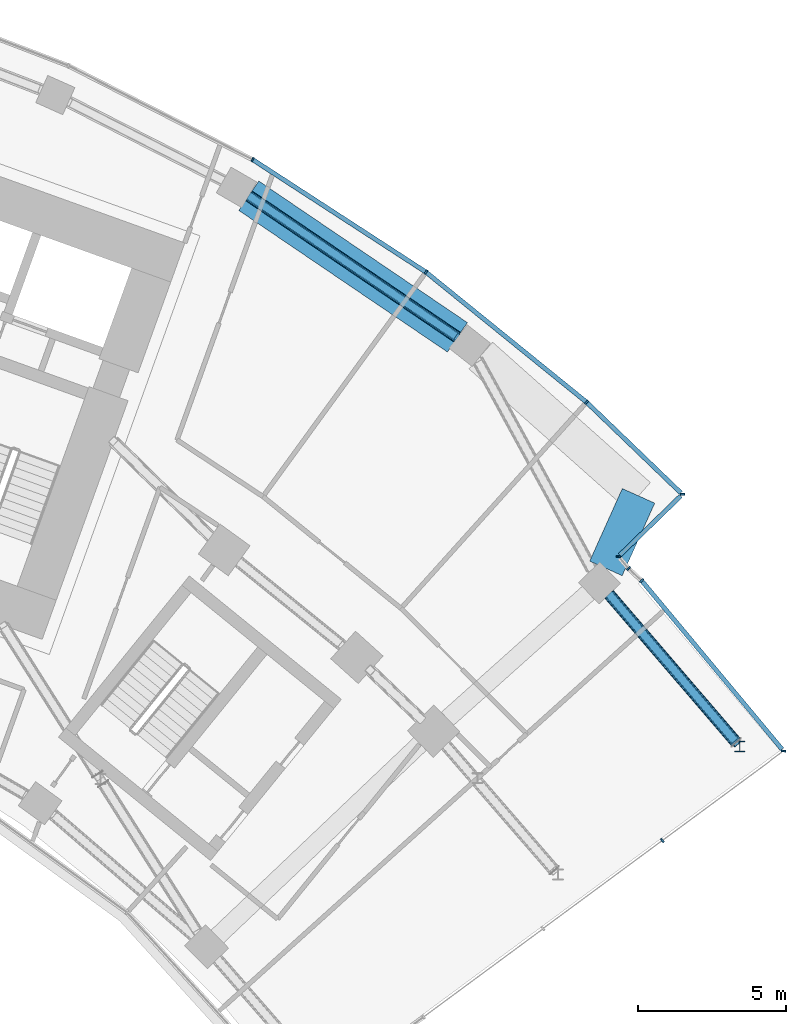
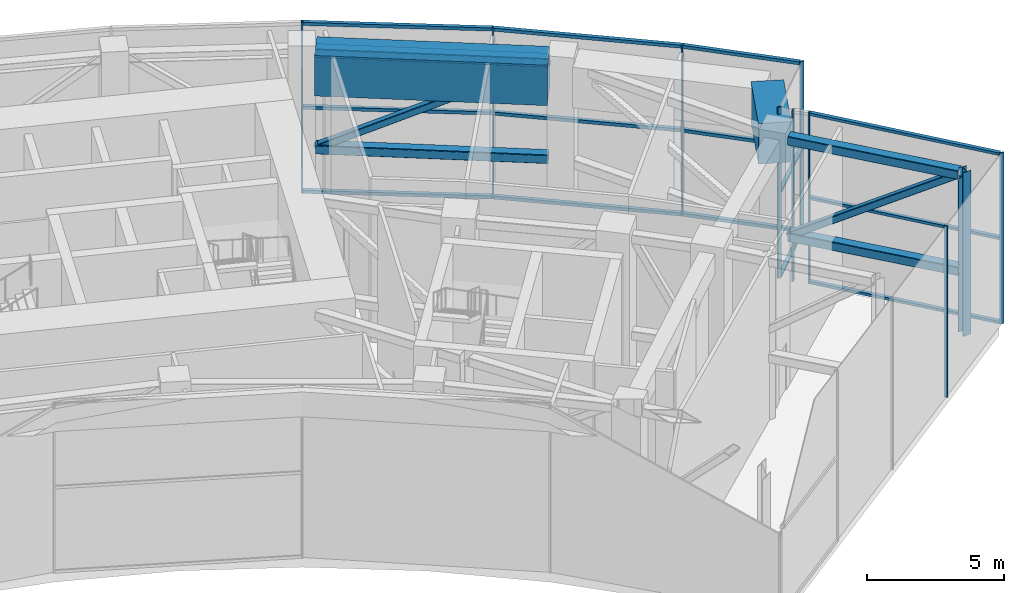
# One storey, part 12 of 32: 30 members, 2 beams, 6 elements without a shape of their own.
"""IFC4 building model written with IfcOpenShell, lengths in metres."""

from ifc_helpers import new_model, si_unit, direction, frame, origin, origin_2d, place, context, subcontext, project, spatial, rectangle, hollow_rectangle, i_section, extrude, material, layer, layer_set, material_profile, profile_set, type_object, element, aggregate, save


model = new_model("IFC4")

# Units and contexts
model_context = context("Model", 3, precision=1e-05, world=origin(), true_north=direction((0.0, 1.0)))
body_context = subcontext(model_context, "Body", "Model", "MODEL_VIEW")
ifc_project = project(units=[si_unit("LENGTHUNIT", "METRE"), si_unit("AREAUNIT", "SQUARE_METRE"), si_unit("VOLUMEUNIT", "CUBIC_METRE"), si_unit("PLANEANGLEUNIT", "RADIAN"), si_unit("MASSUNIT", "GRAM", prefix="KILO")], contexts=[model_context])

# Site, building, storey
site_placement = place(None, origin())
site = spatial("IfcSite", under=ifc_project, at=site_placement, CompositionType="ELEMENT")
building_placement = place(site_placement, origin())
building = spatial("IfcBuilding", under=site, at=building_placement, Name="Stone Belt Terrace Tower", CompositionType="ELEMENT")
storey_placement = place(building_placement, frame((0.0, 0.0, 193.39990234375)))
storey = spatial("IfcBuildingStorey", under=building, at=storey_placement, Name="L47", CompositionType="ELEMENT", Elevation=193.39990234375)

# Curtain wall, members
ifc_material_1 = material(Name="Aluminium 6063-T6 anodised frame", Category="aluminium")
ifc_layer_1 = layer(ifc_material_1, 0.14990234375)
ifc_layer_set_1 = layer_set([ifc_layer_1], Name="CW-A unitised convex-face curtain wall")
curtain_wall_type_1 = type_object("IfcCurtainWallType", Name="CW-A unitised convex-face curtain wall", PredefinedType="NOTDEFINED", material=ifc_layer_set_1)
curtain_wall_1_placement = place(storey_placement, origin())
curtain_wall_1 = element("IfcCurtainWall", 1, at=curtain_wall_1_placement, inside=storey, type_object=curtain_wall_type_1, Name="CW-A convex face L47", PredefinedType="NOTDEFINED")
ifc_material_profile_1 = material_profile(ifc_material_1, rectangle(XDim=0.14990234375, YDim=0.06005859375, at=origin_2d()), Name="Aluminium 6063-T6 60x150")
ifc_profile_set_1 = profile_set([ifc_material_profile_1], Name="Aluminium 6063-T6 anodised frame")
member_type_1 = type_object("IfcMemberType", Name="CW-A mullion 60 x 150", PredefinedType="MULLION", material=ifc_profile_set_1)
member_1_placement = place(storey_placement, frame((47.775390625, 46.369140625, 0.0), z_axis=(0.0, 0.0, 1.0), x_axis=(-0.999996264646, -0.002733257028, 0.0)))
member_1 = element("IfcMember", 2, at=member_1_placement, type_object=member_type_1, Name="CW-A mullion 1", PredefinedType="MULLION", context=body_context, shape_type="SweptSolid", body=[
    extrude(rectangle(XDim=0.14990234375, YDim=0.06005859375, at=origin_2d()), origin(), (0.0, 0.0, 1.0), 7.60009765625),
])
member_2_placement = place(storey_placement, frame((44.546875, 49.475341796875, 0.0), z_axis=(0.0, 0.0, 1.0), x_axis=(-0.661937409618, -0.749559114245, 0.0)))
member_2 = element("IfcMember", 3, at=member_2_placement, type_object=member_type_1, Name="CW-A mullion 2", PredefinedType="MULLION", context=body_context, shape_type="SweptSolid", body=[
    extrude(rectangle(XDim=0.14990234375, YDim=0.06005859375, at=origin_2d()), origin(), (0.0, 0.0, 1.0), 7.60009765625),
])
member_3_placement = place(storey_placement, frame((39.1318359375, 53.8603515625, 0.0), z_axis=(0.0, 0.0, 1.0), x_axis=(-0.587785252292, -0.809016994375, 0.0)))
member_3 = element("IfcMember", 4, at=member_3_placement, type_object=member_type_1, Name="CW-A mullion 3", PredefinedType="MULLION", context=body_context, shape_type="SweptSolid", body=[
    extrude(rectangle(XDim=0.14990234375, YDim=0.06005859375, at=origin_2d()), origin(), (0.0, 0.0, 1.0), 7.60009765625),
])
member_4_placement = place(storey_placement, frame((33.28759765625, 57.65576171875, 0.0), z_axis=(0.0, 0.0, 1.0), x_axis=(-0.5, -0.866025403784, 0.0)))
member_4 = element("IfcMember", 5, at=member_4_placement, type_object=member_type_1, Name="CW-A mullion 4", PredefinedType="MULLION", context=body_context, shape_type="SweptSolid", body=[
    extrude(rectangle(XDim=0.14990234375, YDim=0.06005859375, at=origin_2d()), origin(), (0.0, 0.0, 1.0), 7.60009765625),
])
ifc_material_profile_2 = material_profile(ifc_material_1, rectangle(XDim=0.14990234375, YDim=0.139892578125, at=origin_2d()), Name="Aluminium 6063-T6 150x140")
ifc_profile_set_2 = profile_set([ifc_material_profile_2], Name="Aluminium 6063-T6 anodised frame")
member_type_2 = type_object("IfcMemberType", Name="CW-A transom 140 x 150", PredefinedType="USERDEFINED", material=ifc_profile_set_2)
member_5_placement = place(storey_placement, frame((47.721435546875, 46.4208984375, 0.070068359375), z_axis=(-0.720600183576, 0.693350831419, 0.0), x_axis=(-0.693350831419, -0.720600183576, 0.0)))
member_5 = element("IfcMember", 6, at=member_5_placement, type_object=member_type_2, Name="CW-A transom 1.1", ObjectType="TRANSOM", PredefinedType="USERDEFINED", context=body_context, shape_type="SweptSolid", body=[
    extrude(rectangle(XDim=0.14990234375, YDim=0.139892578125, at=origin_2d()), origin(), (0.0, 0.0, 1.0), 4.372314453125),
])
member_6_placement = place(storey_placement, frame((47.721435546875, 46.4208984375, 3.800048828125), z_axis=(-0.720600183576, 0.693350831419, 0.0), x_axis=(-0.693350831419, -0.720600183576, 0.0)))
member_6 = element("IfcMember", 7, at=member_6_placement, type_object=member_type_2, Name="CW-A transom 1.2", ObjectType="TRANSOM", PredefinedType="USERDEFINED", context=body_context, shape_type="SweptSolid", body=[
    extrude(rectangle(XDim=0.14990234375, YDim=0.139892578125, at=origin_2d()), origin(), (0.0, 0.0, 1.0), 4.372314453125),
])
member_7_placement = place(storey_placement, frame((47.721435546875, 46.4208984375, 7.530029296875), z_axis=(-0.720600183576, 0.693350831419, 0.0), x_axis=(-0.693350831419, -0.720600183576, 0.0)))
member_7 = element("IfcMember", 8, at=member_7_placement, type_object=member_type_2, Name="CW-A transom 1.3", ObjectType="TRANSOM", PredefinedType="USERDEFINED", context=body_context, shape_type="SweptSolid", body=[
    extrude(rectangle(XDim=0.14990234375, YDim=0.139892578125, at=origin_2d()), origin(), (0.0, 0.0, 1.0), 4.372314453125),
])
member_8_placement = place(storey_placement, frame((44.52099609375, 49.496337890625, 0.070068359375), z_axis=(-0.777141048626, 0.629326457842, 0.0), x_axis=(-0.629326457842, -0.777141048626, 0.0)))
member_8 = element("IfcMember", 9, at=member_8_placement, type_object=member_type_2, Name="CW-A transom 2.1", ObjectType="TRANSOM", PredefinedType="USERDEFINED", context=body_context, shape_type="SweptSolid", body=[
    extrude(rectangle(XDim=0.14990234375, YDim=0.139892578125, at=origin_2d()), origin(), (0.0, 0.0, 1.0), 6.900634765625),
])
member_9_placement = place(storey_placement, frame((44.52099609375, 49.496337890625, 3.800048828125), z_axis=(-0.777141048626, 0.629326457842, 0.0), x_axis=(-0.629326457842, -0.777141048626, 0.0)))
member_9 = element("IfcMember", 10, at=member_9_placement, type_object=member_type_2, Name="CW-A transom 2.2", ObjectType="TRANSOM", PredefinedType="USERDEFINED", context=body_context, shape_type="SweptSolid", body=[
    extrude(rectangle(XDim=0.14990234375, YDim=0.139892578125, at=origin_2d()), origin(), (0.0, 0.0, 1.0), 6.900634765625),
])
member_10_placement = place(storey_placement, frame((44.52099609375, 49.496337890625, 7.530029296875), z_axis=(-0.777141048626, 0.629326457842, 0.0), x_axis=(-0.629326457842, -0.777141048626, 0.0)))
member_10 = element("IfcMember", 11, at=member_10_placement, type_object=member_type_2, Name="CW-A transom 2.3", ObjectType="TRANSOM", PredefinedType="USERDEFINED", context=body_context, shape_type="SweptSolid", body=[
    extrude(rectangle(XDim=0.14990234375, YDim=0.139892578125, at=origin_2d()), origin(), (0.0, 0.0, 1.0), 6.900634765625),
])
member_11_placement = place(storey_placement, frame((39.103515625, 53.87890625, 0.070068359375), z_axis=(-0.83868440714, 0.544617723931, 0.0), x_axis=(-0.544617723931, -0.83868440714, 0.0)))
member_11 = element("IfcMember", 12, at=member_11_placement, type_object=member_type_2, Name="CW-A transom 3.1", ObjectType="TRANSOM", PredefinedType="USERDEFINED", context=body_context, shape_type="SweptSolid", body=[
    extrude(rectangle(XDim=0.14990234375, YDim=0.139892578125, at=origin_2d()), origin(), (0.0, 0.0, 1.0), 6.90087890625),
])
member_12_placement = place(storey_placement, frame((39.103515625, 53.87890625, 3.800048828125), z_axis=(-0.83868440714, 0.544617723931, 0.0), x_axis=(-0.544617723931, -0.83868440714, 0.0)))
member_12 = element("IfcMember", 13, at=member_12_placement, type_object=member_type_2, Name="CW-A transom 3.2", ObjectType="TRANSOM", PredefinedType="USERDEFINED", context=body_context, shape_type="SweptSolid", body=[
    extrude(rectangle(XDim=0.14990234375, YDim=0.139892578125, at=origin_2d()), origin(), (0.0, 0.0, 1.0), 6.90087890625),
])
member_13_placement = place(storey_placement, frame((39.103515625, 53.87890625, 7.530029296875), z_axis=(-0.83868440714, 0.544617723931, 0.0), x_axis=(-0.544617723931, -0.83868440714, 0.0)))
member_13 = element("IfcMember", 14, at=member_13_placement, type_object=member_type_2, Name="CW-A transom 3.3", ObjectType="TRANSOM", PredefinedType="USERDEFINED", context=body_context, shape_type="SweptSolid", body=[
    extrude(rectangle(XDim=0.14990234375, YDim=0.139892578125, at=origin_2d()), origin(), (0.0, 0.0, 1.0), 6.90087890625),
])
aggregate(curtain_wall_1, [member_1, member_2, member_3, member_4, member_5, member_6, member_7, member_8, member_9, member_10, member_11, member_12, member_13])

# Curtain wall, member
ifc_layer_2 = layer(ifc_material_1, 0.14990234375)
ifc_layer_set_2 = layer_set([ifc_layer_2], Name="CW-C stick curtain wall, horn ends and notches")
curtain_wall_type_2 = type_object("IfcCurtainWallType", Name="CW-C stick curtain wall, horn ends and notches", PredefinedType="NOTDEFINED", material=ifc_layer_set_2)
curtain_wall_2_placement = place(storey_placement, origin())
curtain_wall_2 = element("IfcCurtainWall", 15, at=curtain_wall_2_placement, inside=storey, type_object=curtain_wall_type_2, Name="CW-C end face L47", PredefinedType="NOTDEFINED")
ifc_material_profile_3 = material_profile(ifc_material_1, rectangle(XDim=0.14990234375, YDim=0.06005859375, at=origin_2d()), Name="Aluminium 6063-T6 60x150")
ifc_profile_set_3 = profile_set([ifc_material_profile_3], Name="Aluminium 6063-T6 anodised frame")
member_type_3 = type_object("IfcMemberType", Name="CW-C mullion 60 x 150", PredefinedType="MULLION", material=ifc_profile_set_3)
member_14_placement = place(storey_placement, frame((47.097900390625, 34.699462890625, 0.0), z_axis=(0.0, 0.0, 1.0), x_axis=(-0.594184091865, 0.804329077539, 0.0)))
member_14 = element("IfcMember", 16, at=member_14_placement, type_object=member_type_3, Name="CW-C mullion 4", PredefinedType="MULLION", context=body_context, shape_type="SweptSolid", body=[
    extrude(rectangle(XDim=0.14990234375, YDim=0.06005859375, at=origin_2d()), origin(), (0.0, 0.0, 1.0), 7.60009765625),
])
aggregate(curtain_wall_2, [member_14])

curtain_wall_3_placement = place(storey_placement, origin())
curtain_wall_3 = element("IfcCurtainWall", 17, at=curtain_wall_3_placement, inside=storey, type_object=curtain_wall_type_2, Name="CW-C notch face L47", PredefinedType="NOTDEFINED")
member_15_placement = place(storey_placement, frame((51.183349609375, 37.717529296875, 0.0), z_axis=(0.0, 0.0, 1.0), x_axis=(-0.992801884656, 0.119768183683, 0.0)))
member_15 = element("IfcMember", 18, at=member_15_placement, type_object=member_type_3, Name="CW-C mullion 1", PredefinedType="MULLION", context=body_context, shape_type="SweptSolid", body=[
    extrude(rectangle(XDim=0.14990234375, YDim=0.06005859375, at=origin_2d()), origin(), (0.0, 0.0, 1.0), 7.60009765625),
])

curtain_wall_4_placement = place(storey_placement, origin())
curtain_wall_4 = element("IfcCurtainWall", 19, at=curtain_wall_4_placement, inside=storey, type_object=curtain_wall_type_2, Name="CW-C end face L47", PredefinedType="NOTDEFINED")
member_16_placement = place(storey_placement, frame((46.403564453125, 43.45703125, 0.0), z_axis=(0.0, 0.0, 1.0), x_axis=(-0.726653481569, -0.687004161359, 0.0)))
member_16 = element("IfcMember", 20, at=member_16_placement, type_object=member_type_3, Name="CW-C mullion 1", PredefinedType="MULLION", context=body_context, shape_type="SweptSolid", body=[
    extrude(rectangle(XDim=0.14990234375, YDim=0.06005859375, at=origin_2d()), origin(), (0.0, 0.0, 1.0), 7.60009765625),
])
aggregate(curtain_wall_4, [member_16])

curtain_wall_5_placement = place(storey_placement, origin())
curtain_wall_5 = element("IfcCurtainWall", 21, at=curtain_wall_5_placement, inside=storey, type_object=curtain_wall_type_2, Name="CW-C end face L47", PredefinedType="NOTDEFINED")
member_17_placement = place(storey_placement, frame((45.9619140625, 43.868896484375, 0.0), z_axis=(0.0, 0.0, 1.0), x_axis=(-0.723386391958, -0.690443428479, 0.0)))
member_17 = element("IfcMember", 22, at=member_17_placement, type_object=member_type_3, Name="CW-C mullion 1", PredefinedType="MULLION", context=body_context, shape_type="SweptSolid", body=[
    extrude(rectangle(XDim=0.14990234375, YDim=0.06005859375, at=origin_2d()), origin(), (0.0, 0.0, 1.0), 7.60009765625),
])
aggregate(curtain_wall_5, [member_17])

curtain_wall_6_placement = place(storey_placement, origin())
curtain_wall_6 = element("IfcCurtainWall", 23, at=curtain_wall_6_placement, inside=storey, type_object=curtain_wall_type_2, Name="CW-C notch face L47", PredefinedType="NOTDEFINED")
member_18_placement = place(storey_placement, frame((45.61962890625, 44.27197265625, 0.0), z_axis=(0.0, 0.0, 1.0), x_axis=(-0.998865261612, 0.047625509398, 0.0)))
member_18 = element("IfcMember", 24, at=member_18_placement, type_object=member_type_3, Name="CW-C mullion 1", PredefinedType="MULLION", context=body_context, shape_type="SweptSolid", body=[
    extrude(rectangle(XDim=0.14990234375, YDim=0.06005859375, at=origin_2d()), origin(), (0.0, 0.0, 1.0), 7.60009765625),
])

# Member
ifc_material_profile_4 = material_profile(ifc_material_1, rectangle(XDim=0.14990234375, YDim=0.1201171875, at=origin_2d()), Name="Aluminium 6063-T6 150x120")
ifc_profile_set_4 = profile_set([ifc_material_profile_4], Name="Aluminium 6063-T6 anodised frame")
member_type_4 = type_object("IfcMemberType", Name="CW-C transom 120 x 150", PredefinedType="USERDEFINED", material=ifc_profile_set_4)
member_19_placement = place(storey_placement, frame((51.13525390625, 37.775390625, 0.06005859375), z_axis=(-0.639939635911, 0.768425183339, 0.0), x_axis=(-0.768425183339, -0.639939635911, 0.0)))
member_19 = element("IfcMember", 25, at=member_19_placement, type_object=member_type_4, Name="CW-C transom 1.1", ObjectType="TRANSOM", PredefinedType="USERDEFINED", context=body_context, shape_type="SweptSolid", body=[
    extrude(rectangle(XDim=0.14990234375, YDim=0.1201171875, at=origin_2d()), origin(), (0.0, 0.0, 1.0), 7.359130859375),
])

member_20_placement = place(storey_placement, frame((51.13525390625, 37.775390625, 3.800048828125), z_axis=(-0.639939635911, 0.768425183339, 0.0), x_axis=(-0.768425183339, -0.639939635911, 0.0)))
member_20 = element("IfcMember", 26, at=member_20_placement, type_object=member_type_4, Name="CW-C transom 1.2", ObjectType="TRANSOM", PredefinedType="USERDEFINED", context=body_context, shape_type="SweptSolid", body=[
    extrude(rectangle(XDim=0.14990234375, YDim=0.1201171875, at=origin_2d()), origin(), (0.0, 0.0, 1.0), 7.359130859375),
])

member_21_placement = place(storey_placement, frame((51.13525390625, 37.775390625, 7.5400390625), z_axis=(-0.639939635911, 0.768425183339, 0.0), x_axis=(-0.768425183339, -0.639939635911, 0.0)))
member_21 = element("IfcMember", 27, at=member_21_placement, type_object=member_type_4, Name="CW-C transom 1.3", ObjectType="TRANSOM", PredefinedType="USERDEFINED", context=body_context, shape_type="SweptSolid", body=[
    extrude(rectangle(XDim=0.14990234375, YDim=0.1201171875, at=origin_2d()), origin(), (0.0, 0.0, 1.0), 7.359130859375),
])

aggregate(curtain_wall_3, [member_15, member_19, member_20, member_21])

member_22_placement = place(storey_placement, frame((45.671875, 44.322998046875, 0.06005859375), z_axis=(0.716814728684, 0.697263683797, 0.0), x_axis=(-0.697263683797, 0.716814728684, 0.0)))
member_22 = element("IfcMember", 28, at=member_22_placement, type_object=member_type_4, Name="CW-C transom 1.1", ObjectType="TRANSOM", PredefinedType="USERDEFINED", context=body_context, shape_type="SweptSolid", body=[
    extrude(rectangle(XDim=0.14990234375, YDim=0.1201171875, at=origin_2d()), origin(), (0.0, 0.0, 1.0), 2.859619140625),
])

member_23_placement = place(storey_placement, frame((45.671875, 44.322998046875, 3.800048828125), z_axis=(0.716814728684, 0.697263683797, 0.0), x_axis=(-0.697263683797, 0.716814728684, 0.0)))
member_23 = element("IfcMember", 29, at=member_23_placement, type_object=member_type_4, Name="CW-C transom 1.2", ObjectType="TRANSOM", PredefinedType="USERDEFINED", context=body_context, shape_type="SweptSolid", body=[
    extrude(rectangle(XDim=0.14990234375, YDim=0.1201171875, at=origin_2d()), origin(), (0.0, 0.0, 1.0), 2.859619140625),
])

aggregate(curtain_wall_6, [member_18, member_22, member_23])

# Members
ifc_material_2 = material(Name="Structural steel C345", Category="steel")
ifc_material_profile_5 = material_profile(ifc_material_2, hollow_rectangle(XDim=0.39990234375, YDim=0.39990234375, WallThickness=0.01611328125, InnerFilletRadius=0.031982421875, OuterFilletRadius=0.048095703125, at=origin_2d()), Name="SHS 400x400x16")
ifc_profile_set_5 = profile_set([ifc_material_profile_5], Name="Structural steel C345")
member_type_5 = type_object("IfcMemberType", Name="Outrigger chord SHS 400x400x16", PredefinedType="CHORD", material=ifc_profile_set_5)
for number, where, z_axis, x_axis, name in (
    (30, (49.58251953125, 38.013916015625, 7.080078125), (-0.651201262458, 0.758905076919, 0.0), (-0.758905076919, -0.651201262458, 0.0), "Outrigger T3 Re top chord 1"),
    (31, (49.58251953125, 38.013916015625, 2.800048828125), (-0.651201262458, 0.758905076919, 0.0), (-0.758905076919, -0.651201262458, 0.0), "Outrigger T3 Re bot chord 1"),
):
    element("IfcMember", number, at=place(storey_placement, frame(where, z_axis=z_axis, x_axis=x_axis)), inside=storey, type_object=member_type_5, Name=name, PredefinedType="CHORD", context=body_context, shape_type="SweptSolid", body=[
        extrude(hollow_rectangle(XDim=0.39990234375, YDim=0.39990234375, WallThickness=0.01611328125, InnerFilletRadius=0.031982421875, OuterFilletRadius=0.048095703125, at=origin_2d()), origin(), (0.0, 0.0, 1.0), 6.5712890625),
    ])
for number, where, z_axis, x_axis, name in (
    (32, (40.19091796875, 51.662109375, 7.080078125), (-0.827478634825, 0.561497202938, 0.0), (-0.561497202938, -0.827478634825, 0.0), "Outrigger T3 Re top chord 3"),
    (33, (40.19091796875, 51.662109375, 2.800048828125), (-0.827478634825, 0.561497202938, 0.0), (-0.561497202938, -0.827478634825, 0.0), "Outrigger T3 Re bot chord 3"),
):
    element("IfcMember", number, at=place(storey_placement, frame(where, z_axis=z_axis, x_axis=x_axis)), inside=storey, type_object=member_type_5, Name=name, PredefinedType="CHORD", context=body_context, shape_type="SweptSolid", body=[
        extrude(hollow_rectangle(XDim=0.39990234375, YDim=0.39990234375, WallThickness=0.01611328125, InnerFilletRadius=0.031982421875, OuterFilletRadius=0.048095703125, at=origin_2d()), origin(), (0.0, 0.0, 1.0), 8.497802734375),
    ])
ifc_material_profile_6 = material_profile(ifc_material_2, hollow_rectangle(XDim=0.300048828125, YDim=0.300048828125, WallThickness=0.01611328125, InnerFilletRadius=0.031982421875, OuterFilletRadius=0.048095703125, at=origin_2d()), Name="SHS 300x300x16")
ifc_profile_set_6 = profile_set([ifc_material_profile_6], Name="Structural steel C345")
member_type_6 = type_object("IfcMemberType", Name="Outrigger diagonal SHS 300x300x16", PredefinedType="BRACE", material=ifc_profile_set_6)
member_24_placement = place(storey_placement, frame((49.595703125, 37.99853515625, 7.080078125), z_axis=(-0.546166354873, 0.636500319153, -0.544582093464), x_axis=(-0.758906157584, -0.651200003057, 0.0)))
element("IfcMember", 34, at=member_24_placement, inside=storey, type_object=member_type_6, Name="Outrigger T3 Re diagonal 1", PredefinedType="BRACE", context=body_context, shape_type="SweptSolid", body=[
    extrude(hollow_rectangle(XDim=0.300048828125, YDim=0.300048828125, WallThickness=0.01611328125, InnerFilletRadius=0.031982421875, OuterFilletRadius=0.048095703125, at=origin_2d()), origin(), (0.0, 0.0, 1.0), 7.859375),
])
member_25_placement = place(storey_placement, frame((40.19091796875, 51.662109375, 7.080078125), z_axis=(-0.739033120453, 0.501481261931, -0.449829513043), x_axis=(-0.561497202938, -0.827478634825, 0.0)))
element("IfcMember", 35, at=member_25_placement, inside=storey, type_object=member_type_6, Name="Outrigger T3 Re diagonal 3", PredefinedType="BRACE", context=body_context, shape_type="SweptSolid", body=[
    extrude(hollow_rectangle(XDim=0.300048828125, YDim=0.300048828125, WallThickness=0.01611328125, InnerFilletRadius=0.031982421875, OuterFilletRadius=0.048095703125, at=origin_2d()), origin(), (0.0, 0.0, 1.0), 9.514892578125),
])
ifc_material_profile_7 = material_profile(ifc_material_2, i_section(OverallWidth=0.35009765625, OverallDepth=0.35009765625, WebThickness=0.011962890625, FlangeThickness=0.01904296875, at=origin_2d()), Name="I 35K2")
ifc_profile_set_7 = profile_set([ifc_material_profile_7], Name="Structural steel C345")
member_type_7 = type_object("IfcMemberType", Name="Outrigger post I 35K2", PredefinedType="POST", material=ifc_profile_set_7)
member_26_placement = place(storey_placement, frame((49.70947265625, 37.86572265625, 0.0), z_axis=(0.0, 0.0, 1.0), x_axis=(1.0, 0.0, 0.0)))
element("IfcMember", 36, at=member_26_placement, inside=storey, type_object=member_type_7, Name="Outrigger T3 Re tip post", PredefinedType="POST", context=body_context, shape_type="SweptSolid", body=[
    extrude(i_section(OverallWidth=0.35009765625, OverallDepth=0.35009765625, WebThickness=0.011962890625, FlangeThickness=0.01904296875, at=origin_2d()), origin(), (0.0, 0.0, 1.0), 7.280029296875),
])

# Beams
ifc_material_3 = material(Name="Concrete B80", Category="concrete")
ifc_material_profile_8 = material_profile(ifc_material_3, rectangle(XDim=1.199951171875, YDim=1.800048828125, at=origin_2d()), Name="RC 1200x1800")
ifc_profile_set_8 = profile_set([ifc_material_profile_8], Name="Concrete B80")
beam_type = type_object("IfcBeamType", Name="Transfer girder RC 1200x1800 B80", PredefinedType="BEAM", material=ifc_profile_set_8)
beam_1_placement = place(storey_placement, frame((33.1591796875, 56.43359375, 6.380126953125), z_axis=(0.827478634825, -0.561497202938, 0.0), x_axis=(0.561497202938, 0.827478634825, 0.0)))
element("IfcBeam", 37, at=beam_1_placement, inside=storey, type_object=beam_type, Name="Transfer beam L47 RR27-RNB", PredefinedType="BEAM", context=body_context, shape_type="SweptSolid", body=[
    extrude(rectangle(XDim=1.199951171875, YDim=1.800048828125, at=origin_2d()), origin(), (0.0, 0.0, 1.0), 8.497802734375),
])
beam_2_placement = place(storey_placement, frame((46.29638671875, 46.318603515625, 6.380126953125), z_axis=(-0.409717203708, -0.91221259199, 0.0), x_axis=(0.91221259199, -0.409717203708, 0.0)))
element("IfcBeam", 38, at=beam_2_placement, inside=storey, type_object=beam_type, Name="Transfer beam L47 RRNB-RB", PredefinedType="BEAM", context=body_context, shape_type="SweptSolid", body=[
    extrude(rectangle(XDim=1.199951171875, YDim=1.800048828125, at=origin_2d()), origin(), (0.0, 0.0, 1.0), 2.681396484375),
])

save(model, "model.ifc")
